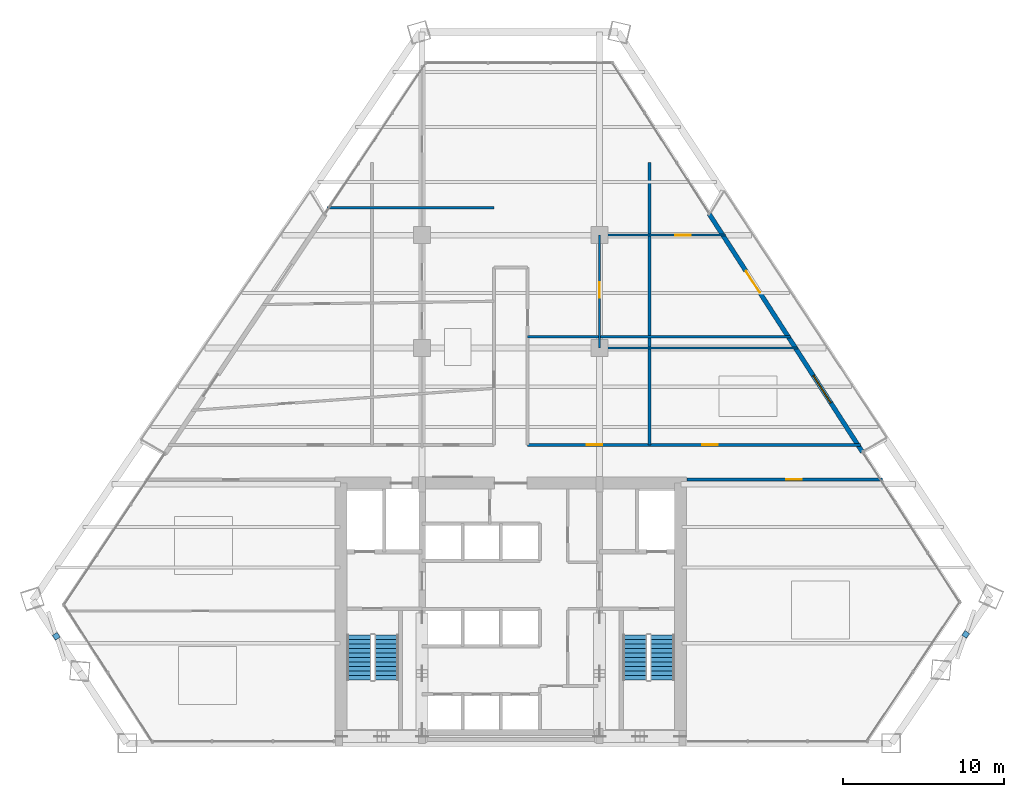
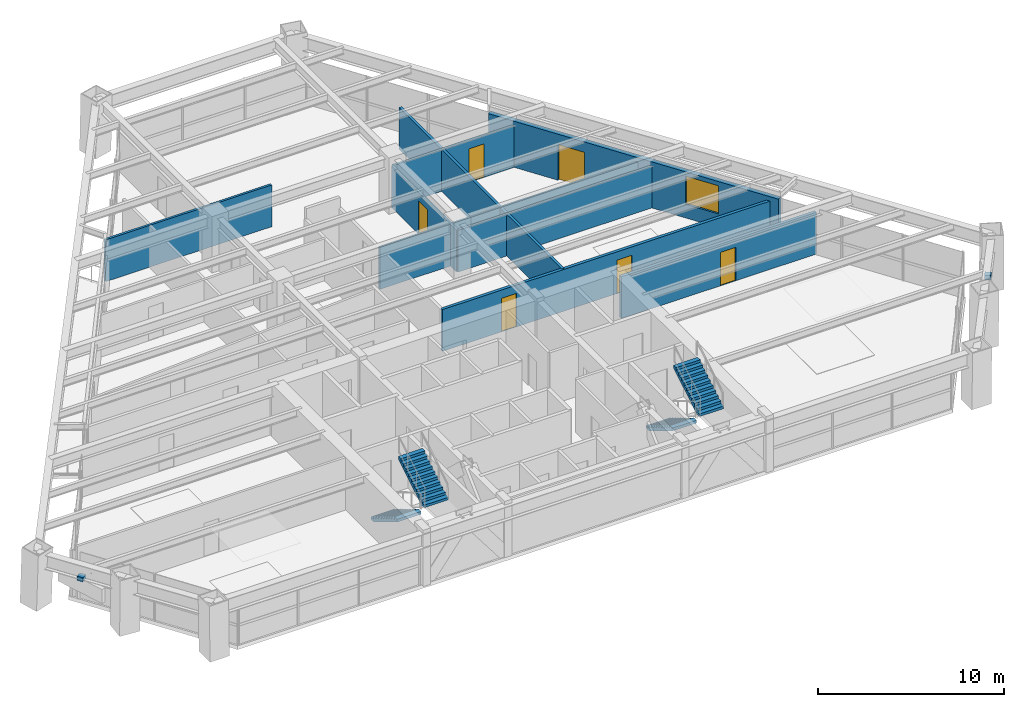
# One storey, part 12 of 14: 9 walls, 6 doors, 4 stair flights, 2 discrete accessories, 1 window, 7 openings, 2 elements without a shape of their own.
"""IFC4 building model written with IfcOpenShell, lengths in metres."""

from ifc_helpers import new_model, si_unit, direction, frame, frame_2d, origin, origin_2d, place, context, subcontext, project, spatial, polyline, rectangle, outline, extrude, source, transform, mapped, material, layer, layer_set, type_object, type_shapes, element, fill, aggregate, save


model = new_model("IFC4")

# Units and contexts
model_context = context("Model", 3, precision=1e-05, world=origin(), true_north=direction((0.0, 1.0)))
body_context = subcontext(model_context, "Body", "Model", "MODEL_VIEW")
ifc_project = project(units=[si_unit("LENGTHUNIT", "METRE"), si_unit("AREAUNIT", "SQUARE_METRE"), si_unit("VOLUMEUNIT", "CUBIC_METRE"), si_unit("PLANEANGLEUNIT", "RADIAN"), si_unit("MASSUNIT", "GRAM", prefix="KILO")], contexts=[model_context])

# Site, building, storey
site_placement = place(None, origin())
site = spatial("IfcSite", under=ifc_project, at=site_placement, CompositionType="ELEMENT")
building_placement = place(site_placement, origin())
building = spatial("IfcBuilding", under=site, at=building_placement, Name="Varnakhor Terracotta Tower", CompositionType="ELEMENT")
storey_placement = place(building_placement, frame((0.0, 0.0, 106.199951171875)))
storey = spatial("IfcBuildingStorey", under=building, at=storey_placement, Name="L26", CompositionType="ELEMENT", Elevation=106.199951171875)

# Wall, opening, door
ifc_material_1 = material(Name="Fire-Rated Gypsum Stud Partition", Category="gypsum")
ifc_layer_1 = layer(ifc_material_1, 0.18505859375, Name="Fire-Rated Gypsum Stud Partition")
ifc_layer_set_1 = layer_set([ifc_layer_1], Name="Fire-Rated Gypsum Stud Partition")
wall_type_1 = type_object("IfcWallType", Name="WAL-CORR-185", PredefinedType="PARTITIONING", material=ifc_layer_set_1)
wall_1_placement = place(storey_placement, frame((10.919921875, 16.35009765625, 0.0), z_axis=(0.0, 0.0, 1.0), x_axis=(1.0, 0.0, 0.0)))
wall_1 = element("IfcWall", 1, at=wall_1_placement, inside=storey, type_object=wall_type_1, Name="L26 South East Corridor Wall", PredefinedType="PARTITIONING", context=body_context, shape_type="SweptSolid", body=[
    extrude(rectangle(XDim=12.133056640625, YDim=0.18505859375, at=frame_2d((6.06640625, 0.0))), origin(), (0.0, 0.0, 1.0), 2.7470703125),
])
opening_1_placement = place(wall_1_placement, frame((6.1640625, 0.0, 0.0)))
opening_1 = element("IfcOpeningElement", 2, at=opening_1_placement, cuts=wall_1, Name="Opening DR-94", PredefinedType="OPENING", context=body_context, shape_type="SweptSolid", body=[
    extrude(rectangle(XDim=0.949951171875, YDim=2.199951171875, at=frame_2d((0.47509765625, 1.10009765625))), frame((0.0, 0.1025390625, 0.0), z_axis=(0.0, -1.0, 0.0), x_axis=(1.0, 0.0, 0.0)), (0.0, 0.0, 1.0), 0.205078125),
])
ifc_material_2 = material(Name="Acoustic Glazed-Vision Timber Office Door", Category="wood")
door_type_1 = type_object("IfcDoorType", Name="DR-OFF-950X2200", OperationType="NOTDEFINED", PredefinedType="DOOR", material=ifc_material_2)
shared_shape_1 = source(origin(), body_context, "Body", "SweptSolid", [
    extrude(rectangle(XDim=0.949951171875, YDim=2.199951171875, at=frame_2d((0.47509765625, 1.10009765625))), frame((0.0, 0.02490234375, 0.0), z_axis=(0.0, -1.0, 0.0), x_axis=(1.0, 0.0, 0.0)), (0.0, 0.0, 1.0), 0.050048828125),
])
type_shapes(door_type_1, [shared_shape_1])
door_1_placement = place(opening_1_placement, origin())
door_1 = element("IfcDoor", 3, at=door_1_placement, inside=storey, type_object=door_type_1, Name="L26 SE Suite Door", OperationType="SINGLE_SWING_RIGHT", OverallHeight=2.199951171875, OverallWidth=0.949951171875, PredefinedType="DOOR", context=body_context, shape_type="MappedRepresentation", body=[
    mapped(shared_shape_1, transform((0.0, 0.0, 0.0), scale=1.0)),
])
fill(opening_1, door_1)

# Wall, openings, doors
wall_2_placement = place(storey_placement, frame((1.050048828125, 18.5, 0.0), z_axis=(0.0, 0.0, 1.0), x_axis=(1.0, 0.0, 0.0)))
wall_2 = element("IfcWall", 4, at=wall_2_placement, inside=storey, type_object=wall_type_1, Name="L26 Corridor North East Wall", PredefinedType="PARTITIONING", context=body_context, shape_type="SweptSolid", body=[
    extrude(rectangle(XDim=20.618896484375, YDim=0.18505859375, at=frame_2d((10.3095703125, 0.0))), origin(), (0.0, 0.0, 1.0), 2.7470703125),
])
opening_2_placement = place(wall_2_placement, frame((10.831298828125, 0.0, 0.0)))
opening_2 = element("IfcOpeningElement", 5, at=opening_2_placement, cuts=wall_2, Name="Opening DR-94", PredefinedType="OPENING", context=body_context, shape_type="SweptSolid", body=[
    extrude(rectangle(XDim=0.949951171875, YDim=2.199951171875, at=frame_2d((0.47509765625, 1.10009765625))), frame((0.0, 0.1025390625, 0.0), z_axis=(0.0, -1.0, 0.0), x_axis=(1.0, 0.0, 0.0)), (0.0, 0.0, 1.0), 0.205078125),
])
opening_3_placement = place(wall_2_placement, frame((3.662353515625, 0.0, 0.0)))
opening_3 = element("IfcOpeningElement", 6, at=opening_3_placement, cuts=wall_2, Name="Opening DR-94", PredefinedType="OPENING", context=body_context, shape_type="SweptSolid", body=[
    extrude(rectangle(XDim=0.949951171875, YDim=2.199951171875, at=frame_2d((0.47509765625, 1.10009765625))), frame((0.0, 0.1025390625, 0.0), z_axis=(0.0, -1.0, 0.0), x_axis=(1.0, 0.0, 0.0)), (0.0, 0.0, 1.0), 0.205078125),
])
door_2_placement = place(opening_2_placement, origin())
door_2 = element("IfcDoor", 7, at=door_2_placement, inside=storey, type_object=door_type_1, Name="L26 East Workplace Door", OperationType="SINGLE_SWING_RIGHT", OverallHeight=2.199951171875, OverallWidth=0.949951171875, PredefinedType="DOOR", context=body_context, shape_type="MappedRepresentation", body=[
    mapped(shared_shape_1, transform((0.0, 0.0, 0.0), scale=1.0)),
])
fill(opening_2, door_2)
door_3_placement = place(opening_3_placement, origin())
door_3 = element("IfcDoor", 8, at=door_3_placement, inside=storey, type_object=door_type_1, Name="L26 Quantitative Office W1 B9 Door", OperationType="SINGLE_SWING_RIGHT", OverallHeight=2.199951171875, OverallWidth=0.949951171875, PredefinedType="DOOR", context=body_context, shape_type="MappedRepresentation", body=[
    mapped(shared_shape_1, transform((0.0, 0.0, 0.0), scale=1.0)),
])
fill(opening_3, door_3)

# Wall, openings, door, window
ifc_material_3 = material(Name="Extruded Architectural Terracotta Assembly", Category="masonry")
ifc_layer_2 = layer(ifc_material_3, 0.280029296875, Name="Extruded Architectural Terracotta Assembly")
ifc_layer_set_2 = layer_set([ifc_layer_2], Name="Extruded Architectural Terracotta Assembly")
wall_type_2 = type_object("IfcWallType", Name="WAL-EXT-TERRACOTTA-280", PredefinedType="SOLIDWALL", material=ifc_layer_set_2)
wall_3_placement = place(storey_placement, frame((12.294921875, 32.82177734375, 0.0), z_axis=(0.0, 0.0, 1.0), x_axis=(0.54128181568, -0.84084124305, 0.0)))
wall_3 = element("IfcWall", 9, at=wall_3_placement, inside=storey, type_object=wall_type_2, Name="L26 E Loggia Insulated Terracotta Wall", PredefinedType="SOLIDWALL", context=body_context, shape_type="SweptSolid", body=[
    extrude(rectangle(XDim=17.555908203125, YDim=0.280029296875, at=frame_2d((8.77783203125, 0.0))), origin(), (0.0, 0.0, 1.0), 3.030029296875),
])
opening_4_placement = place(wall_3_placement, frame((4.21337890625, 0.0, 0.0)))
opening_4 = element("IfcOpeningElement", 10, at=opening_4_placement, cuts=wall_3, Name="Opening DR-62", PredefinedType="OPENING", context=body_context, shape_type="SweptSolid", body=[
    extrude(rectangle(XDim=1.60009765625, YDim=2.35009765625, at=frame_2d((0.800048828125, 1.175048828125))), frame((0.0, 0.14990234375, 0.0), z_axis=(0.0, -1.0, 0.0), x_axis=(1.0, 0.0, 0.0)), (0.0, 0.0, 1.0), 0.300048828125),
])
opening_5_placement = place(wall_3_placement, frame((11.93798828125, 0.0, 0.89990234375)))
opening_5 = element("IfcOpeningElement", 11, at=opening_5_placement, cuts=wall_3, Name="Opening WN-26", PredefinedType="OPENING", context=body_context, shape_type="SweptSolid", body=[
    extrude(rectangle(XDim=2.0, YDim=1.85009765625, at=frame_2d((1.0, 0.925048828125))), frame((0.0, 0.14990234375, 0.0), z_axis=(0.0, -1.0, 0.0), x_axis=(1.0, 0.0, 0.0)), (0.0, 0.0, 1.0), 0.300048828125),
])
ifc_material_4 = material(Name="Thermally Broken Sliding Glass Loggia Door", Category="glass")
door_type_2 = type_object("IfcDoorType", Name="DR-EXT-LOGGIA-1600X2350", OperationType="NOTDEFINED", PredefinedType="DOOR", material=ifc_material_4)
shared_shape_2 = source(origin(), body_context, "Body", "SweptSolid", [
    extrude(rectangle(XDim=1.60009765625, YDim=2.35009765625, at=frame_2d((0.800048828125, 1.175048828125))), frame((0.0, 0.02490234375, 0.0), z_axis=(0.0, -1.0, 0.0), x_axis=(1.0, 0.0, 0.0)), (0.0, 0.0, 1.0), 0.050048828125),
])
type_shapes(door_type_2, [shared_shape_2])
door_4_placement = place(opening_4_placement, origin())
door_4 = element("IfcDoor", 12, at=door_4_placement, inside=storey, type_object=door_type_2, Name="L26 E Recessed Loggia Sliding Door", OperationType="SLIDING_TO_RIGHT", OverallHeight=2.35009765625, OverallWidth=1.60009765625, PredefinedType="DOOR", context=body_context, shape_type="MappedRepresentation", body=[
    mapped(shared_shape_2, transform((0.0, 0.0, 0.0), scale=1.0)),
])
fill(opening_4, door_4)
ifc_material_5 = material(Name="Solar-Control Low-E Insulated Glass Unit", Category="glass")
window_type = type_object("IfcWindowType", Name="WIN-OFF-2200X2100", PartitioningType="SINGLE_PANEL", PredefinedType="WINDOW", material=ifc_material_5)
shared_shape_3 = source(origin(), body_context, "Body", "SweptSolid", [
    extrude(rectangle(XDim=2.0, YDim=1.85009765625, at=frame_2d((1.0, 0.925048828125))), frame((0.0, 0.030029296875, 0.0), z_axis=(0.0, -1.0, 0.0), x_axis=(1.0, 0.0, 0.0)), (0.0, 0.0, 1.0), 0.06005859375),
])
type_shapes(window_type, [shared_shape_3])
window_placement = place(opening_5_placement, origin())
window = element("IfcWindow", 13, at=window_placement, inside=storey, type_object=window_type, Name="L26 E Facet Punched Window", OverallHeight=1.85009765625, OverallWidth=2.0, PartitioningType="SINGLE_PANEL", PredefinedType="WINDOW", context=body_context, shape_type="MappedRepresentation", body=[
    mapped(shared_shape_3, transform((0.0, 0.0, 0.0), scale=1.0)),
])
fill(opening_5, window)

# Wall
ifc_material_6 = material(Name="Acoustic Metal-Stud Partition", Category="gypsum")
ifc_layer_3 = layer(ifc_material_6, 0.139892578125, Name="Acoustic Metal-Stud Partition")
ifc_layer_set_3 = layer_set([ifc_layer_3], Name="Acoustic Metal-Stud Partition")
wall_type_3 = type_object("IfcWallType", Name="WAL-PART-140", PredefinedType="PARTITIONING", material=ifc_layer_set_3)
wall_4_placement = place(storey_placement, frame((5.5, 24.5, 0.0), z_axis=(0.0, 0.0, 1.0), x_axis=(1.0, 0.0, 0.0)))
element("IfcWall", 14, at=wall_4_placement, inside=storey, type_object=wall_type_3, Name="L26 East Y24.5 Column Wall", PredefinedType="PARTITIONING", context=body_context, shape_type="SweptSolid", body=[
    extrude(rectangle(XDim=12.306396484375, YDim=0.139892578125, at=frame_2d((6.1533203125, 0.0))), origin(), (0.0, 0.0, 1.0), 2.7470703125),
])

# Wall, opening, door
wall_5_placement = place(storey_placement, frame((5.5, 24.5, 0.0), z_axis=(0.0, 0.0, 1.0), x_axis=(0.0, 1.0, 0.0)))
wall_5 = element("IfcWall", 15, at=wall_5_placement, inside=storey, type_object=wall_type_3, Name="L26 East Mid Link Wall", PredefinedType="PARTITIONING", context=body_context, shape_type="SweptSolid", body=[
    extrude(rectangle(XDim=7.0, YDim=0.139892578125, at=frame_2d((3.5, 0.0))), origin(), (0.0, 0.0, 1.0), 2.7470703125),
])
opening_6_placement = place(wall_5_placement, frame((3.12255859375, 0.0, 0.0)))
opening_6 = element("IfcOpeningElement", 16, at=opening_6_placement, cuts=wall_5, Name="Opening DR-94", PredefinedType="OPENING", context=body_context, shape_type="SweptSolid", body=[
    extrude(rectangle(XDim=0.949951171875, YDim=2.199951171875, at=frame_2d((0.47509765625, 1.10009765625))), frame((0.0, 0.080078125, 0.0), z_axis=(0.0, -1.0, 0.0), x_axis=(1.0, 0.0, 0.0)), (0.0, 0.0, 1.0), 0.159912109375),
])
door_5_placement = place(opening_6_placement, origin())
door_5 = element("IfcDoor", 17, at=door_5_placement, inside=storey, type_object=door_type_1, Name="L26 Breakout Tea Room B14 Door", OperationType="SINGLE_SWING_RIGHT", OverallHeight=2.199951171875, OverallWidth=0.949951171875, PredefinedType="DOOR", context=body_context, shape_type="MappedRepresentation", body=[
    mapped(shared_shape_1, transform((0.0, 0.0, 0.0), scale=1.0)),
])
fill(opening_6, door_5)

wall_6_placement = place(storey_placement, frame((5.5, 31.5, 0.0), z_axis=(0.0, 0.0, 1.0), x_axis=(1.0, 0.0, 0.0)))
wall_6 = element("IfcWall", 18, at=wall_6_placement, inside=storey, type_object=wall_type_3, Name="L26 East Y31.5 Column Wall", PredefinedType="PARTITIONING", context=body_context, shape_type="SweptSolid", body=[
    extrude(rectangle(XDim=7.80029296875, YDim=0.139892578125, at=frame_2d((3.900146484375, 0.0))), origin(), (0.0, 0.0, 1.0), 2.7470703125),
])
opening_7_placement = place(wall_6_placement, frame((4.711669921875, 0.0, 0.0)))
opening_7 = element("IfcOpeningElement", 19, at=opening_7_placement, cuts=wall_6, Name="Opening DR-94", PredefinedType="OPENING", context=body_context, shape_type="SweptSolid", body=[
    extrude(rectangle(XDim=0.949951171875, YDim=2.199951171875, at=frame_2d((0.47509765625, 1.10009765625))), frame((0.0, 0.080078125, 0.0), z_axis=(0.0, -1.0, 0.0), x_axis=(1.0, 0.0, 0.0)), (0.0, 0.0, 1.0), 0.159912109375),
])
door_6_placement = place(opening_7_placement, origin())
door_6 = element("IfcDoor", 20, at=door_6_placement, inside=storey, type_object=door_type_1, Name="L26 Research Studio E2 Door", OperationType="SINGLE_SWING_LEFT", OverallHeight=2.199951171875, OverallWidth=0.949951171875, PredefinedType="DOOR", context=body_context, shape_type="MappedRepresentation", body=[
    mapped(shared_shape_1, transform((0.0, 0.0, 0.0), scale=1.0)),
])
fill(opening_7, door_6)

# Walls
wall_7_placement = place(storey_placement, frame((-11.386962890625, 33.199951171875, 0.0), z_axis=(0.0, 0.0, 1.0), x_axis=(1.0, 0.0, 0.0)))
element("IfcWall", 21, at=wall_7_placement, inside=storey, type_object=wall_type_3, Name="L26 West Wing Cut 3", PredefinedType="PARTITIONING", context=body_context, shape_type="SweptSolid", body=[
    extrude(rectangle(XDim=10.3369140625, YDim=0.139892578125, at=frame_2d((5.16845703125, 0.0))), origin(), (0.0, 0.0, 1.0), 2.7470703125),
])
wall_8_placement = place(storey_placement, frame((1.050048828125, 25.199951171875, 0.0), z_axis=(0.0, 0.0, 1.0), x_axis=(1.0, 0.0, 0.0)))
element("IfcWall", 22, at=wall_8_placement, inside=storey, type_object=wall_type_3, Name="L26 East Wing Cut 1", PredefinedType="PARTITIONING", context=body_context, shape_type="SweptSolid", body=[
    extrude(rectangle(XDim=16.305908203125, YDim=0.139892578125, at=frame_2d((8.15283203125, 0.0))), origin(), (0.0, 0.0, 1.0), 2.7470703125),
])
ifc_material_7 = material(Name="Acoustic Fire-Rated Partition", Category="gypsum")
ifc_layer_4 = layer(ifc_material_7, 0.1650390625, Name="Acoustic Fire-Rated Partition")
ifc_layer_set_4 = layer_set([ifc_layer_4], Name="Acoustic Fire-Rated Partition")
wall_type_4 = type_object("IfcWallType", Name="WAL-TENANCY-165", PredefinedType="PARTITIONING", material=ifc_layer_set_4)
wall_9_placement = place(storey_placement, frame((8.60009765625, 18.5, 0.0), z_axis=(0.0, 0.0, 1.0), x_axis=(0.0, 1.0, 0.0)))
element("IfcWall", 23, at=wall_9_placement, inside=storey, type_object=wall_type_4, Name="L26 East Cellular Line", PredefinedType="PARTITIONING", context=body_context, shape_type="SweptSolid", body=[
    extrude(rectangle(XDim=17.5, YDim=0.1650390625, at=frame_2d((8.75, 0.0))), origin(), (0.0, 0.0, 1.0), 2.7470703125),
])

# Stair, stair flights
ifc_material_8 = material(Name="Concrete C40/50", Category="concrete")
stair_type = type_object("IfcStairType", Name="STR-CORE-OFFICE-1500", PredefinedType="HALF_TURN_STAIR", material=ifc_material_8)
stair_1_placement = place(storey_placement, origin())
stair_1 = element("IfcStair", 24, at=stair_1_placement, inside=storey, type_object=stair_type, Name="L26 Core Exit Stair ST-1", PredefinedType="HALF_TURN_STAIR")
stair_flight_type = type_object("IfcStairFlightType", Name="FLT-CORE-1500", PredefinedType="STRAIGHT", material=ifc_material_8)
stair_flight_1_placement = place(storey_placement, frame((-9.39990234375, 6.7099609375, 0.0), z_axis=(0.0, 0.0, 1.0), x_axis=(0.0, -1.0, 0.0)))
stair_flight_1 = element("IfcStairFlight", 25, at=stair_flight_1_placement, type_object=stair_flight_type, Name="ST-1 flight 1", NumberOfRisers=11, NumberOfTreads=10, PredefinedType="STRAIGHT", RiserHeight=0.168181818, TreadLength=0.28, context=body_context, shape_type="SweptSolid", body=[
    extrude(outline(polyline([(0.0, 0.0), (0.0, 0.168212890625), (0.280029296875, 0.168212890625), (0.280029296875, 0.33642578125), (0.56005859375, 0.33642578125), (0.56005859375, 0.504638671875), (0.840087890625, 0.504638671875), (0.840087890625, 0.672607421875), (1.1201171875, 0.672607421875), (1.1201171875, 0.8408203125), (1.39990234375, 0.8408203125), (1.39990234375, 1.009033203125), (1.679931640625, 1.009033203125), (1.679931640625, 1.17724609375), (1.9599609375, 1.17724609375), (1.9599609375, 1.345458984375), (2.239990234375, 1.345458984375), (2.239990234375, 1.513671875), (2.52001953125, 1.513671875), (2.52001953125, 1.681884765625), (2.800048828125, 1.681884765625), (2.800048828125, 1.85009765625), (2.800048828125, 1.495361328125), (0.310546875, 0.0), (0.0, 0.0)])), frame((0.0, 0.75, 0.0), z_axis=(0.0, -1.0, 0.0), x_axis=(1.0, 0.0, 0.0)), (0.0, 0.0, 1.0), 1.5),
])
stair_flight_2_placement = place(storey_placement, frame((-7.699951171875, 3.909912109375, 1.85009765625), z_axis=(0.0, 0.0, 1.0), x_axis=(0.0, 1.0, 0.0)))
stair_flight_2 = element("IfcStairFlight", 26, at=stair_flight_2_placement, type_object=stair_flight_type, Name="ST-1 flight 2", NumberOfRisers=11, NumberOfTreads=10, PredefinedType="STRAIGHT", RiserHeight=0.168181818, TreadLength=0.28, context=body_context, shape_type="SweptSolid", body=[
    extrude(outline(polyline([(0.0, 0.0), (0.0, 0.168212890625), (0.280029296875, 0.168212890625), (0.280029296875, 0.33642578125), (0.56005859375, 0.33642578125), (0.56005859375, 0.504638671875), (0.840087890625, 0.504638671875), (0.840087890625, 0.672607421875), (1.1201171875, 0.672607421875), (1.1201171875, 0.8408203125), (1.39990234375, 0.8408203125), (1.39990234375, 1.009033203125), (1.679931640625, 1.009033203125), (1.679931640625, 1.17724609375), (1.9599609375, 1.17724609375), (1.9599609375, 1.345458984375), (2.239990234375, 1.345458984375), (2.239990234375, 1.513671875), (2.52001953125, 1.513671875), (2.52001953125, 1.681884765625), (2.800048828125, 1.681884765625), (2.800048828125, 1.85009765625), (2.800048828125, 1.495361328125), (0.310546875, 0.0), (0.0, 0.0)])), frame((0.0, 0.75, 0.0), z_axis=(0.0, -1.0, 0.0), x_axis=(1.0, 0.0, 0.0)), (0.0, 0.0, 1.0), 1.5),
])
aggregate(stair_1, [stair_flight_1, stair_flight_2])

stair_2_placement = place(storey_placement, origin())
stair_2 = element("IfcStair", 27, at=stair_2_placement, inside=storey, type_object=stair_type, Name="L26 Core Exit Stair ST-2", PredefinedType="HALF_TURN_STAIR")
stair_flight_3_placement = place(storey_placement, frame((7.699951171875, 6.7099609375, 0.0), z_axis=(0.0, 0.0, 1.0), x_axis=(0.0, -1.0, 0.0)))
stair_flight_3 = element("IfcStairFlight", 28, at=stair_flight_3_placement, type_object=stair_flight_type, Name="ST-2 flight 1", NumberOfRisers=11, NumberOfTreads=10, PredefinedType="STRAIGHT", RiserHeight=0.168181818, TreadLength=0.28, context=body_context, shape_type="SweptSolid", body=[
    extrude(outline(polyline([(0.0, 0.0), (0.0, 0.168212890625), (0.280029296875, 0.168212890625), (0.280029296875, 0.33642578125), (0.56005859375, 0.33642578125), (0.56005859375, 0.504638671875), (0.840087890625, 0.504638671875), (0.840087890625, 0.672607421875), (1.1201171875, 0.672607421875), (1.1201171875, 0.8408203125), (1.39990234375, 0.8408203125), (1.39990234375, 1.009033203125), (1.679931640625, 1.009033203125), (1.679931640625, 1.17724609375), (1.9599609375, 1.17724609375), (1.9599609375, 1.345458984375), (2.239990234375, 1.345458984375), (2.239990234375, 1.513671875), (2.52001953125, 1.513671875), (2.52001953125, 1.681884765625), (2.800048828125, 1.681884765625), (2.800048828125, 1.85009765625), (2.800048828125, 1.495361328125), (0.310546875, 0.0), (0.0, 0.0)])), frame((0.0, 0.75, 0.0), z_axis=(0.0, -1.0, 0.0), x_axis=(1.0, 0.0, 0.0)), (0.0, 0.0, 1.0), 1.5),
])
stair_flight_4_placement = place(storey_placement, frame((9.39990234375, 3.909912109375, 1.85009765625), z_axis=(0.0, 0.0, 1.0), x_axis=(0.0, 1.0, 0.0)))
stair_flight_4 = element("IfcStairFlight", 29, at=stair_flight_4_placement, type_object=stair_flight_type, Name="ST-2 flight 2", NumberOfRisers=11, NumberOfTreads=10, PredefinedType="STRAIGHT", RiserHeight=0.168181818, TreadLength=0.28, context=body_context, shape_type="SweptSolid", body=[
    extrude(outline(polyline([(0.0, 0.0), (0.0, 0.168212890625), (0.280029296875, 0.168212890625), (0.280029296875, 0.33642578125), (0.56005859375, 0.33642578125), (0.56005859375, 0.504638671875), (0.840087890625, 0.504638671875), (0.840087890625, 0.672607421875), (1.1201171875, 0.672607421875), (1.1201171875, 0.8408203125), (1.39990234375, 0.8408203125), (1.39990234375, 1.009033203125), (1.679931640625, 1.009033203125), (1.679931640625, 1.17724609375), (1.9599609375, 1.17724609375), (1.9599609375, 1.345458984375), (2.239990234375, 1.345458984375), (2.239990234375, 1.513671875), (2.52001953125, 1.513671875), (2.52001953125, 1.681884765625), (2.800048828125, 1.681884765625), (2.800048828125, 1.85009765625), (2.800048828125, 1.495361328125), (0.310546875, 0.0), (0.0, 0.0)])), frame((0.0, 0.75, 0.0), z_axis=(0.0, -1.0, 0.0), x_axis=(1.0, 0.0, 0.0)), (0.0, 0.0, 1.0), 1.5),
])
aggregate(stair_2, [stair_flight_3, stair_flight_4])

# Discrete accessories
ifc_material_9 = material(Name="Stainless Steel Fixing Bracket", Category="steel")
discrete_accessory_type = type_object("IfcDiscreteAccessoryType", Name="BRACKET-TERRACOTTA-SCREEN", PredefinedType="BRACKET", material=ifc_material_9)
shared_shape_4 = source(origin(), body_context, "Body", "SweptSolid", [
    extrude(rectangle(XDim=0.35009765625, YDim=0.35009765625, at=origin_2d()), origin(), (0.0, 0.0, 1.0), 0.280029296875),
])
type_shapes(discrete_accessory_type, [shared_shape_4])
for number, where, z_axis, x_axis, name in (
    (30, (28.20361328125, 6.744384765625, 2.39306640625), (0.0, 0.0, 1.0), (0.56300688487, 0.826452205266, 0.0), "L26 E Screen Fixing Bracket"),
    (31, (-28.17529296875, 6.631103515625, 2.39306640625), (0.0, 0.0, 1.0), (0.549737409065, -0.83533752524, 0.0), "L26 W Screen Fixing Bracket"),
):
    element("IfcDiscreteAccessory", number, at=place(storey_placement, frame(where, z_axis=z_axis, x_axis=x_axis)), inside=storey, type_object=discrete_accessory_type, Name=name, PredefinedType="BRACKET", context=body_context, shape_type="MappedRepresentation", body=[
        mapped(shared_shape_4, transform((0.0, 0.0, 0.0), scale=1.0)),
    ])

save(model, "model.ifc")
